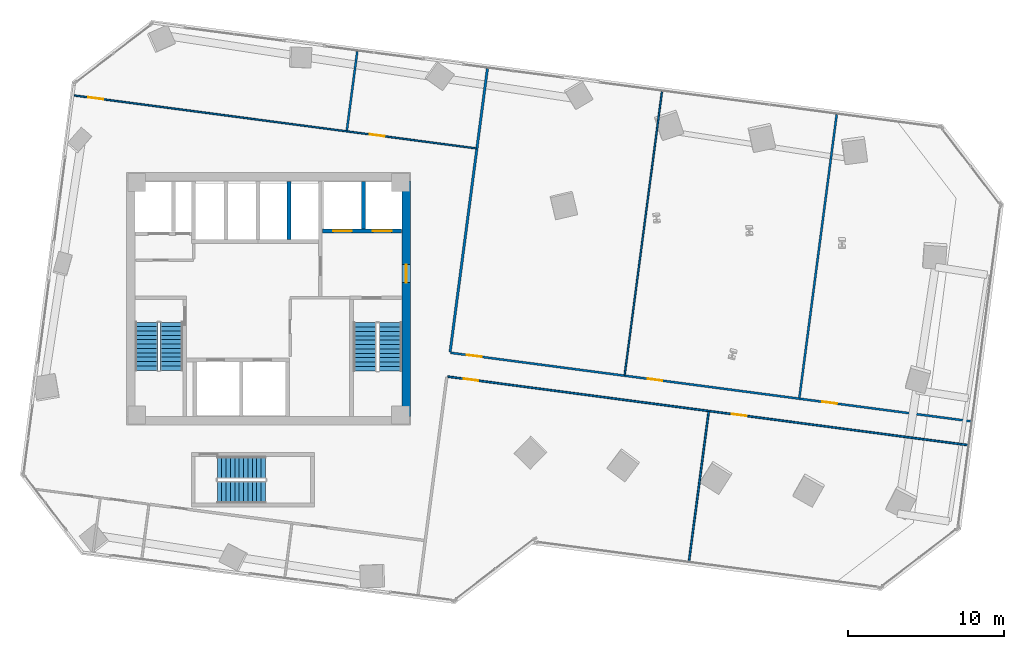
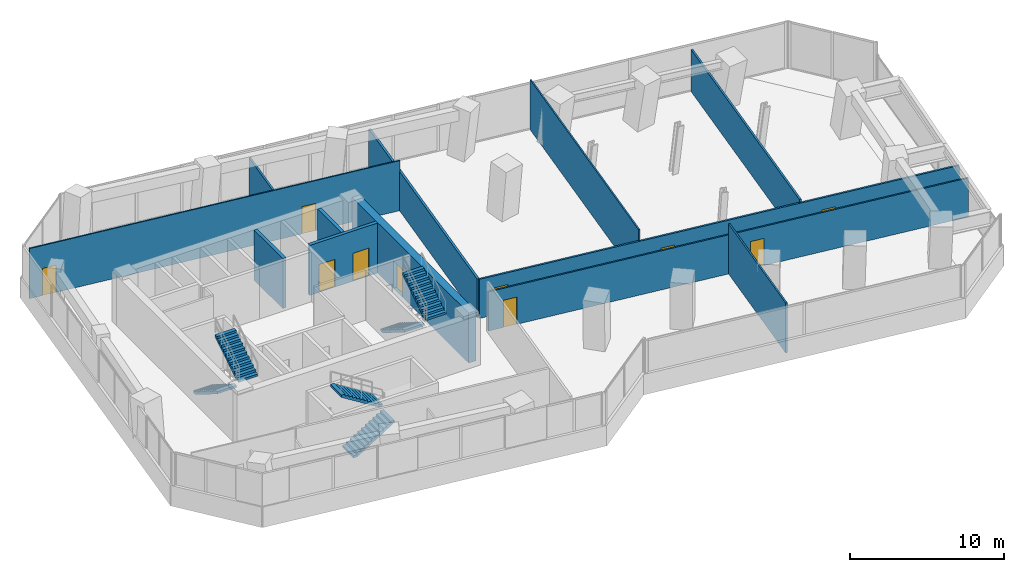
# One storey, part 20 of 24: 12 walls, 10 doors, 6 stair flights, 10 openings, 3 elements without a shape of their own.
"""IFC4 building model written with IfcOpenShell, lengths in metres."""

from ifc_helpers import new_model, si_unit, direction, frame, frame_2d, origin, place, context, subcontext, project, spatial, polyline, rectangle, outline, extrude, source, transform, mapped, material, layer, layer_set, type_object, element, fill, aggregate, save


model = new_model("IFC4")

# Units and contexts
model_context = context("Model", 3, precision=1e-05, world=origin(), true_north=direction((0.0, 1.0)))
body_context = subcontext(model_context, "Body", "Model", "MODEL_VIEW")
ifc_project = project(units=[si_unit("LENGTHUNIT", "METRE"), si_unit("AREAUNIT", "SQUARE_METRE"), si_unit("VOLUMEUNIT", "CUBIC_METRE"), si_unit("PLANEANGLEUNIT", "RADIAN"), si_unit("MASSUNIT", "GRAM", prefix="KILO")], contexts=[model_context])

# Site, building, storey
site_placement = place(None, origin())
site = spatial("IfcSite", under=ifc_project, at=site_placement, CompositionType="ELEMENT")
building_placement = place(site_placement, origin())
building = spatial("IfcBuilding", under=site, at=building_placement, Name="Torre Montelarca", CompositionType="ELEMENT")
storey_placement = place(building_placement, frame((0.0, 0.0, 66.39990234375)))
storey = spatial("IfcBuildingStorey", under=building, at=storey_placement, Name="L14", CompositionType="ELEMENT", Elevation=66.39990234375)

# Wall, openings, doors
ifc_material_1 = material(Name="Concrete C40/50", Category="concrete")
ifc_layer_1 = layer(ifc_material_1, 0.25, Name="Concrete C40/50", Category="concrete")
ifc_layer_set_1 = layer_set([ifc_layer_1], Name="Concrete C40/50")
wall_type_1 = type_object("IfcWallType", Name="CW-SHAFT-250", PredefinedType="SHEAR", material=ifc_layer_set_1)
wall_1_placement = place(storey_placement, frame((21.449951171875, 36.35009765625, 0.0), z_axis=(0.0, 0.0, 1.0), x_axis=(1.0, 0.0, 0.0)))
wall_1 = element("IfcWall", 1, at=wall_1_placement, inside=storey, type_object=wall_type_1, Name="L14 Core Shear Wall SH-FF-S", PredefinedType="SHEAR", context=body_context, shape_type="SweptSolid", body=[
    extrude(rectangle(XDim=5.090087890625, YDim=0.25, at=frame_2d((2.544921875, 0.0))), origin(), (0.0, 0.0, 1.0), 3.960205078125),
])
opening_1_placement = place(wall_1_placement, frame((0.699951171875, 0.0, 0.0)))
opening_1 = element("IfcOpeningElement", 2, at=opening_1_placement, cuts=wall_1, Name="Opening LD-120", PredefinedType="OPENING", context=body_context, shape_type="SweptSolid", body=[
    extrude(rectangle(XDim=1.199951171875, YDim=2.199951171875, at=frame_2d((0.60009765625, 1.10009765625))), frame((0.0, 0.135009765625, 0.0), z_axis=(0.0, -1.0, 0.0), x_axis=(1.0, 0.0, 0.0)), (0.0, 0.0, 1.0), 0.27001953125),
])
opening_2_placement = place(wall_1_placement, frame((3.25, 0.0, 0.0)))
opening_2 = element("IfcOpeningElement", 3, at=opening_2_placement, cuts=wall_1, Name="Opening LD-120", PredefinedType="OPENING", context=body_context, shape_type="SweptSolid", body=[
    extrude(rectangle(XDim=1.199951171875, YDim=2.199951171875, at=frame_2d((0.60009765625, 1.10009765625))), frame((0.0, 0.135009765625, 0.0), z_axis=(0.0, -1.0, 0.0), x_axis=(1.0, 0.0, 0.0)), (0.0, 0.0, 1.0), 0.27001953125),
])
ifc_material_2 = material(Name="Brushed stainless steel AISI 316", Category="steel")
door_type_1 = type_object("IfcDoorType", Name="DR-LIFT-120", OperationType="SLIDING_TO_RIGHT", PredefinedType="DOOR", material=ifc_material_2)
shared_shape_1 = source(origin(), body_context, "Body", "SweptSolid", [
    extrude(rectangle(XDim=1.199951171875, YDim=2.199951171875, at=frame_2d((0.60009765625, 1.10009765625))), frame((0.0, 0.02490234375, 0.0), z_axis=(0.0, -1.0, 0.0), x_axis=(1.0, 0.0, 0.0)), (0.0, 0.0, 1.0), 0.050048828125),
])
door_1_placement = place(opening_1_placement, origin())
door_1 = element("IfcDoor", 4, at=door_1_placement, inside=storey, type_object=door_type_1, Name="L14 Lift Landing Sliding Door FF-1", OperationType="SLIDING_TO_LEFT", OverallHeight=2.199951171875, OverallWidth=1.199951171875, PredefinedType="DOOR", context=body_context, shape_type="MappedRepresentation", body=[
    mapped(shared_shape_1, transform((0.0, 0.0, 0.0), scale=1.0)),
])
fill(opening_1, door_1)
door_2_placement = place(opening_2_placement, origin())
door_2 = element("IfcDoor", 5, at=door_2_placement, inside=storey, type_object=door_type_1, Name="L14 Lift Landing Sliding Door FF-2", OperationType="SLIDING_TO_RIGHT", OverallHeight=2.199951171875, OverallWidth=1.199951171875, PredefinedType="DOOR", context=body_context, shape_type="MappedRepresentation", body=[
    mapped(shared_shape_1, transform((0.0, 0.0, 0.0), scale=1.0)),
])
fill(opening_2, door_2)

# Walls
wall_2_placement = place(storey_placement, frame((24.080078125, 36.47998046875, 0.0), z_axis=(0.0, 0.0, 1.0), x_axis=(0.0, 1.0, 0.0)))
element("IfcWall", 6, at=wall_2_placement, inside=storey, type_object=wall_type_1, Name="L14 Core Shear Wall SH-FF-M", PredefinedType="SHEAR", context=body_context, shape_type="SweptSolid", body=[
    extrude(rectangle(XDim=3.06005859375, YDim=0.25, at=frame_2d((1.530029296875, 0.0))), origin(), (0.0, 0.0, 1.0), 3.960205078125),
])
wall_3_placement = place(storey_placement, frame((19.320068359375, 35.81005859375, 0.0), z_axis=(0.0, 0.0, 1.0), x_axis=(0.0, 1.0, 0.0)))
element("IfcWall", 7, at=wall_3_placement, inside=storey, type_object=wall_type_1, Name="L14 Core Shear Wall SH-PLH-M", PredefinedType="SHEAR", context=body_context, shape_type="SweptSolid", body=[
    extrude(rectangle(XDim=3.72998046875, YDim=0.25, at=frame_2d((1.864990234375, 0.0))), origin(), (0.0, 0.0, 1.0), 3.960205078125),
])

# Wall, opening, door
ifc_material_3 = material(Name="Concrete C70/85", Category="concrete")
ifc_layer_2 = layer(ifc_material_3, 0.550048828125, Name="Concrete C70/85", Category="concrete")
ifc_layer_set_2 = layer_set([ifc_layer_2], Name="Concrete C70/85")
wall_type_2 = type_object("IfcWallType", Name="CW-SHEAR-550", PredefinedType="SHEAR", material=ifc_layer_set_2)
wall_4_placement = place(storey_placement, frame((26.824951171875, 24.449951171875, 0.0), z_axis=(0.0, 0.0, 1.0), x_axis=(0.0, 1.0, 0.0)))
wall_4 = element("IfcWall", 8, at=wall_4_placement, inside=storey, type_object=wall_type_2, Name="L14 Core Shear Wall CW-E", PredefinedType="SHEAR", context=body_context, shape_type="SweptSolid", body=[
    extrude(rectangle(XDim=15.10009765625, YDim=0.550048828125, at=frame_2d((7.550048828125, 0.0))), origin(), (0.0, 0.0, 1.0), 3.960205078125),
])
opening_3_placement = place(wall_4_placement, frame((8.60009765625, 0.0, 0.0)))
opening_3 = element("IfcOpeningElement", 9, at=opening_3_placement, cuts=wall_4, Name="Opening FD-LB1", PredefinedType="OPENING", context=body_context, shape_type="SweptSolid", body=[
    extrude(rectangle(XDim=1.14990234375, YDim=2.199951171875, at=frame_2d((0.574951171875, 1.10009765625))), frame((0.0, 0.28515625, 0.0), z_axis=(0.0, -1.0, 0.0), x_axis=(1.0, 0.0, 0.0)), (0.0, 0.0, 1.0), 0.570068359375),
])
ifc_material_4 = material(Name="Acoustic timber-veneered fire door", Category="wood")
door_type_2 = type_object("IfcDoorType", Name="DR-LOBBY-115", OperationType="NOTDEFINED", PredefinedType="DOOR", material=ifc_material_4)
shared_shape_2 = source(origin(), body_context, "Body", "SweptSolid", [
    extrude(rectangle(XDim=1.14990234375, YDim=2.199951171875, at=frame_2d((0.574951171875, 1.10009765625))), frame((0.0, 0.02490234375, 0.0), z_axis=(0.0, -1.0, 0.0), x_axis=(1.0, 0.0, 0.0)), (0.0, 0.0, 1.0), 0.050048828125),
])
door_3_placement = place(opening_3_placement, origin())
door_3 = element("IfcDoor", 10, at=door_3_placement, inside=storey, type_object=door_type_2, Name="L14 Firefighting Lift Lobby Corridor Fire Door", OperationType="SINGLE_SWING_RIGHT", OverallHeight=2.199951171875, OverallWidth=1.14990234375, PredefinedType="DOOR", context=body_context, shape_type="MappedRepresentation", body=[
    mapped(shared_shape_2, transform((0.0, 0.0, 0.0), scale=1.0)),
])
fill(opening_3, door_3)

# Wall
ifc_material_5 = material(Name="Gypsum plasterboard on steel stud", Category="steel")
ifc_layer_3 = layer(ifc_material_5, 0.159912109375, Name="Gypsum plasterboard on steel stud", Category="steel")
ifc_layer_set_3 = layer_set([ifc_layer_3], Name="Gypsum plasterboard on steel stud")
wall_type_3 = type_object("IfcWallType", Name="PW-FIRE-160", PredefinedType="PARTITIONING", material=ifc_layer_set_3)
wall_5_placement = place(storey_placement, frame((29.644287109375, 28.587890625, 0.0), z_axis=(0.0, 0.0, 1.0), x_axis=(0.130525105318, 0.991445004467, 0.0)))
element("IfcWall", 11, at=wall_5_placement, inside=storey, type_object=wall_type_3, Name="L14 Interior Partition W-L14-ECN", PredefinedType="PARTITIONING", context=body_context, shape_type="SweptSolid", body=[
    extrude(rectangle(XDim=18.33984375, YDim=0.159912109375, at=frame_2d((9.169921875, 0.0))), origin(), (0.0, 0.0, 1.0), 3.09521484375),
])

# Wall, openings, doors
ifc_material_6 = material(Name="Acoustic laminated glass partition", Category="glass")
ifc_layer_4 = layer(ifc_material_6, 0.10009765625, Name="Acoustic laminated glass partition", Category="glass")
ifc_layer_set_4 = layer_set([ifc_layer_4], Name="Acoustic laminated glass partition")
wall_type_4 = type_object("IfcWallType", Name="PW-GLAZ-100", PredefinedType="PARTITIONING", material=ifc_layer_set_4)
wall_6_placement = place(storey_placement, frame((5.546142578125, 45.0439453125, 0.0), z_axis=(0.0, 0.0, 1.0), x_axis=(0.99144534416, -0.13052252504, 0.0)))
wall_6 = element("IfcWall", 12, at=wall_6_placement, inside=storey, type_object=wall_type_4, Name="L14 Interior Partition W-L14-NBOT", PredefinedType="PARTITIONING", context=body_context, shape_type="SweptSolid", body=[
    extrude(rectangle(XDim=25.999755859375, YDim=0.10009765625, at=frame_2d((13.0, 0.0))), origin(), (0.0, 0.0, 1.0), 3.960205078125),
])
opening_4_placement = place(wall_6_placement, frame((0.909912109375, 0.0, 0.0)))
opening_4 = element("IfcOpeningElement", 13, at=opening_4_placement, cuts=wall_6, Name="Opening ID-095", PredefinedType="OPENING", context=body_context, shape_type="SweptSolid", body=[
    extrude(rectangle(XDim=0.949951171875, YDim=2.14990234375, at=frame_2d((0.47509765625, 1.074951171875))), frame((0.0, 0.06005859375, 0.0), z_axis=(0.0, -1.0, 0.0), x_axis=(1.0, 0.0, 0.0)), (0.0, 0.0, 1.0), 0.1201171875),
])
opening_5_placement = place(wall_6_placement, frame((19.110107421875, 0.0, 0.0)))
opening_5 = element("IfcOpeningElement", 14, at=opening_5_placement, cuts=wall_6, Name="Opening ID-095", PredefinedType="OPENING", context=body_context, shape_type="SweptSolid", body=[
    extrude(rectangle(XDim=0.949951171875, YDim=2.14990234375, at=frame_2d((0.47509765625, 1.074951171875))), frame((0.0, 0.06005859375, 0.0), z_axis=(0.0, -1.0, 0.0), x_axis=(1.0, 0.0, 0.0)), (0.0, 0.0, 1.0), 0.1201171875),
])
ifc_material_7 = material(Name="Hardwood acoustic timber veneer", Category="wood")
door_type_3 = type_object("IfcDoorType", Name="DR-INT-095", OperationType="NOTDEFINED", PredefinedType="DOOR", material=ifc_material_7)
shared_shape_3 = source(origin(), body_context, "Body", "SweptSolid", [
    extrude(rectangle(XDim=0.949951171875, YDim=2.14990234375, at=frame_2d((0.47509765625, 1.074951171875))), frame((0.0, 0.02490234375, 0.0), z_axis=(0.0, -1.0, 0.0), x_axis=(1.0, 0.0, 0.0)), (0.0, 0.0, 1.0), 0.050048828125),
])
door_4_placement = place(opening_4_placement, origin())
door_4 = element("IfcDoor", 15, at=door_4_placement, inside=storey, type_object=door_type_3, Name="L14 Interior Door 07", OperationType="SINGLE_SWING_LEFT", OverallHeight=2.14990234375, OverallWidth=0.949951171875, PredefinedType="DOOR", context=body_context, shape_type="MappedRepresentation", body=[
    mapped(shared_shape_3, transform((0.0, 0.0, 0.0), scale=1.0)),
])
fill(opening_4, door_4)
door_5_placement = place(opening_5_placement, origin())
door_5 = element("IfcDoor", 16, at=door_5_placement, inside=storey, type_object=door_type_3, Name="L14 Interior Door 08", OperationType="SINGLE_SWING_RIGHT", OverallHeight=2.14990234375, OverallWidth=0.949951171875, PredefinedType="DOOR", context=body_context, shape_type="MappedRepresentation", body=[
    mapped(shared_shape_3, transform((0.0, 0.0, 0.0), scale=1.0)),
])
fill(opening_5, door_5)

# Wall
wall_7_placement = place(storey_placement, frame((40.837646484375, 27.1142578125, 0.0), z_axis=(0.0, 0.0, 1.0), x_axis=(0.130538190585, 0.991443281685, 0.0)))
element("IfcWall", 17, at=wall_7_placement, inside=storey, type_object=wall_type_4, Name="L14 Interior Partition W-L14-NEDIV-1", PredefinedType="PARTITIONING", context=body_context, shape_type="SweptSolid", body=[
    extrude(rectangle(XDim=18.33984375, YDim=0.10009765625, at=frame_2d((9.169921875, 0.0))), origin(), (0.0, 0.0, 1.0), 3.960205078125),
])

# Wall, openings, doors
ifc_layer_5 = layer(ifc_material_5, 0.114990234375, Name="Gypsum plasterboard on steel stud", Category="steel")
ifc_layer_set_5 = layer_set([ifc_layer_5], Name="Gypsum plasterboard on steel stud")
wall_type_5 = type_object("IfcWallType", Name="PW-PART-115", PredefinedType="PARTITIONING", material=ifc_layer_set_5)
wall_8_placement = place(storey_placement, frame((29.477783203125, 27.01611328125, 0.0), z_axis=(0.0, 0.0, 1.0), x_axis=(0.991444590622, -0.130528248771, 0.0)))
wall_8 = element("IfcWall", 18, at=wall_8_placement, inside=storey, type_object=wall_type_5, Name="L14 Interior Partition W-L14-SE-N", PredefinedType="PARTITIONING", context=body_context, shape_type="SweptSolid", body=[
    extrude(rectangle(XDim=33.659912109375, YDim=0.114990234375, at=frame_2d((16.830078125, 0.0))), origin(), (0.0, 0.0, 1.0), 3.09521484375),
])
opening_6_placement = place(wall_8_placement, frame((1.050048828125, 0.0, 0.0)))
opening_6 = element("IfcOpeningElement", 19, at=opening_6_placement, cuts=wall_8, Name="Opening ID-095", PredefinedType="OPENING", context=body_context, shape_type="SweptSolid", body=[
    extrude(rectangle(XDim=0.949951171875, YDim=2.14990234375, at=frame_2d((0.47509765625, 1.074951171875))), frame((0.0, 0.0673828125, 0.0), z_axis=(0.0, -1.0, 0.0), x_axis=(1.0, 0.0, 0.0)), (0.0, 0.0, 1.0), 0.135009765625),
])
opening_7_placement = place(wall_8_placement, frame((18.389892578125, 0.0, 0.0)))
opening_7 = element("IfcOpeningElement", 20, at=opening_7_placement, cuts=wall_8, Name="Opening ID-095", PredefinedType="OPENING", context=body_context, shape_type="SweptSolid", body=[
    extrude(rectangle(XDim=0.949951171875, YDim=2.14990234375, at=frame_2d((0.47509765625, 1.074951171875))), frame((0.0, 0.0673828125, 0.0), z_axis=(0.0, -1.0, 0.0), x_axis=(1.0, 0.0, 0.0)), (0.0, 0.0, 1.0), 0.135009765625),
])
door_6_placement = place(opening_6_placement, origin())
door_6 = element("IfcDoor", 21, at=door_6_placement, inside=storey, type_object=door_type_3, Name="L14 Interior Door 12", OperationType="SINGLE_SWING_LEFT", OverallHeight=2.14990234375, OverallWidth=0.949951171875, PredefinedType="DOOR", context=body_context, shape_type="MappedRepresentation", body=[
    mapped(shared_shape_3, transform((0.0, 0.0, 0.0), scale=1.0)),
])
fill(opening_6, door_6)
door_7_placement = place(opening_7_placement, origin())
door_7 = element("IfcDoor", 22, at=door_7_placement, inside=storey, type_object=door_type_3, Name="L14 Interior Door 13", OperationType="SINGLE_SWING_RIGHT", OverallHeight=2.14990234375, OverallWidth=0.949951171875, PredefinedType="DOOR", context=body_context, shape_type="MappedRepresentation", body=[
    mapped(shared_shape_3, transform((0.0, 0.0, 0.0), scale=1.0)),
])
fill(opening_7, door_7)

# Walls
wall_9_placement = place(storey_placement, frame((44.96435546875, 15.17333984375, 0.0), z_axis=(0.0, 0.0, 1.0), x_axis=(0.130519754353, 0.991445708914, 0.0)))
element("IfcWall", 23, at=wall_9_placement, inside=storey, type_object=wall_type_5, Name="L14 Interior Partition W-L14-SEDIV-1", PredefinedType="PARTITIONING", context=body_context, shape_type="SweptSolid", body=[
    extrude(rectangle(XDim=9.679931640625, YDim=0.114990234375, at=frame_2d((4.83984375, 0.0))), origin(), (0.0, 0.0, 1.0), 3.960205078125),
])
ifc_layer_6 = layer(ifc_material_5, 0.135009765625, Name="Gypsum plasterboard on steel stud", Category="steel")
ifc_layer_set_6 = layer_set([ifc_layer_6], Name="Gypsum plasterboard on steel stud")
wall_type_6 = type_object("IfcWallType", Name="PW-PART-135", PredefinedType="PARTITIONING", material=ifc_layer_set_6)
wall_10_placement = place(storey_placement, frame((23.0205078125, 42.78369140625, 0.0), z_axis=(0.0, 0.0, 1.0), x_axis=(0.130539454953, 0.991443115212, 0.0)))
element("IfcWall", 24, at=wall_10_placement, inside=storey, type_object=wall_type_6, Name="L14 Interior Partition W-L14-NDIV-1", PredefinedType="PARTITIONING", context=body_context, shape_type="SweptSolid", body=[
    extrude(rectangle(XDim=5.130126953125, YDim=0.135009765625, at=frame_2d((2.56494140625, 0.0))), origin(), (0.0, 0.0, 1.0), 3.09521484375),
])

# Wall, openings, doors
wall_11_placement = place(storey_placement, frame((29.6787109375, 28.54296875, 0.0), z_axis=(0.0, 0.0, 1.0), x_axis=(0.991444714197, -0.130527310133, 0.0)))
wall_11 = element("IfcWall", 25, at=wall_11_placement, inside=storey, type_object=wall_type_6, Name="L14 Interior Partition W-L14-NE-S", PredefinedType="PARTITIONING", context=body_context, shape_type="SweptSolid", body=[
    extrude(rectangle(XDim=33.66015625, YDim=0.135009765625, at=frame_2d((16.830078125, 0.0))), origin(), (0.0, 0.0, 1.0), 3.09521484375),
])
opening_8_placement = place(wall_11_placement, frame((1.050048828125, 0.0, 0.0)))
opening_8 = element("IfcOpeningElement", 26, at=opening_8_placement, cuts=wall_11, Name="Opening ID-095", PredefinedType="OPENING", context=body_context, shape_type="SweptSolid", body=[
    extrude(rectangle(XDim=0.949951171875, YDim=2.14990234375, at=frame_2d((0.47509765625, 1.074951171875))), frame((0.0, 0.07763671875, 0.0), z_axis=(0.0, -1.0, 0.0), x_axis=(1.0, 0.0, 0.0)), (0.0, 0.0, 1.0), 0.155029296875),
])
opening_9_placement = place(wall_11_placement, frame((12.739990234375, 0.0, 0.0)))
opening_9 = element("IfcOpeningElement", 27, at=opening_9_placement, cuts=wall_11, Name="Opening ID-095", PredefinedType="OPENING", context=body_context, shape_type="SweptSolid", body=[
    extrude(rectangle(XDim=0.949951171875, YDim=2.14990234375, at=frame_2d((0.47509765625, 1.074951171875))), frame((0.0, 0.07763671875, 0.0), z_axis=(0.0, -1.0, 0.0), x_axis=(1.0, 0.0, 0.0)), (0.0, 0.0, 1.0), 0.155029296875),
])
opening_10_placement = place(wall_11_placement, frame((24.0400390625, 0.0, 0.0)))
opening_10 = element("IfcOpeningElement", 28, at=opening_10_placement, cuts=wall_11, Name="Opening ID-095", PredefinedType="OPENING", context=body_context, shape_type="SweptSolid", body=[
    extrude(rectangle(XDim=0.949951171875, YDim=2.14990234375, at=frame_2d((0.47509765625, 1.074951171875))), frame((0.0, 0.07763671875, 0.0), z_axis=(0.0, -1.0, 0.0), x_axis=(1.0, 0.0, 0.0)), (0.0, 0.0, 1.0), 0.155029296875),
])
door_8_placement = place(opening_8_placement, origin())
door_8 = element("IfcDoor", 29, at=door_8_placement, inside=storey, type_object=door_type_3, Name="L14 Interior Door 09", OperationType="SINGLE_SWING_LEFT", OverallHeight=2.14990234375, OverallWidth=0.949951171875, PredefinedType="DOOR", context=body_context, shape_type="MappedRepresentation", body=[
    mapped(shared_shape_3, transform((0.0, 0.0, 0.0), scale=1.0)),
])
fill(opening_8, door_8)
door_9_placement = place(opening_9_placement, origin())
door_9 = element("IfcDoor", 30, at=door_9_placement, inside=storey, type_object=door_type_3, Name="L14 Interior Door 10", OperationType="SINGLE_SWING_RIGHT", OverallHeight=2.14990234375, OverallWidth=0.949951171875, PredefinedType="DOOR", context=body_context, shape_type="MappedRepresentation", body=[
    mapped(shared_shape_3, transform((0.0, 0.0, 0.0), scale=1.0)),
])
fill(opening_9, door_9)
door_10_placement = place(opening_10_placement, origin())
door_10 = element("IfcDoor", 31, at=door_10_placement, inside=storey, type_object=door_type_3, Name="L14 Interior Door 11", OperationType="SINGLE_SWING_RIGHT", OverallHeight=2.14990234375, OverallWidth=0.949951171875, PredefinedType="DOOR", context=body_context, shape_type="MappedRepresentation", body=[
    mapped(shared_shape_3, transform((0.0, 0.0, 0.0), scale=1.0)),
])
fill(opening_10, door_10)

# Wall
wall_12_placement = place(storey_placement, frame((52.041015625, 25.63916015625, 0.0), z_axis=(0.0, 0.0, 1.0), x_axis=(0.130523382643, 0.991445231258, 0.0)))
element("IfcWall", 32, at=wall_12_placement, inside=storey, type_object=wall_type_6, Name="L14 Interior Partition W-L14-NEDIV-2", PredefinedType="PARTITIONING", context=body_context, shape_type="SweptSolid", body=[
    extrude(rectangle(XDim=18.340087890625, YDim=0.135009765625, at=frame_2d((9.169921875, 0.0))), origin(), (0.0, 0.0, 1.0), 3.322998046875),
])

# Stair, stair flights
stair_type_1 = type_object("IfcStairType", Name="ST-CORE-ST1", PredefinedType="HALF_TURN_STAIR", material=ifc_material_1)
stair_1_placement = place(storey_placement, origin())
stair_1 = element("IfcStair", 33, at=stair_1_placement, inside=storey, type_object=stair_type_1, Name="L14 Protected Exit Stair ST1", PredefinedType="HALF_TURN_STAIR")
stair_flight_type_1 = type_object("IfcStairFlightType", Name="SFL-CORE-ST1", PredefinedType="STRAIGHT", material=ifc_material_1)
stair_flight_1_placement = place(storey_placement, frame((10.175048828125, 30.5, 0.0), z_axis=(0.0, 0.0, 1.0), x_axis=(0.0, -1.0, 0.0)))
stair_flight_1 = element("IfcStairFlight", 34, at=stair_flight_1_placement, type_object=stair_flight_type_1, Name="ST1 flight 1", NumberOfRisers=12, NumberOfTreads=11, PredefinedType="STRAIGHT", RiserHeight=0.175, TreadLength=0.28, context=body_context, shape_type="SweptSolid", body=[
    extrude(outline(polyline([(0.0, 0.0), (0.0, 0.175048828125), (0.280029296875, 0.175048828125), (0.280029296875, 0.35009765625), (0.56005859375, 0.35009765625), (0.56005859375, 0.52490234375), (0.840087890625, 0.52490234375), (0.840087890625, 0.699951171875), (1.1201171875, 0.699951171875), (1.1201171875, 0.875), (1.39990234375, 0.875), (1.39990234375, 1.050048828125), (1.679931640625, 1.050048828125), (1.679931640625, 1.22509765625), (1.9599609375, 1.22509765625), (1.9599609375, 1.39990234375), (2.239990234375, 1.39990234375), (2.239990234375, 1.574951171875), (2.52001953125, 1.574951171875), (2.52001953125, 1.75), (2.800048828125, 1.75), (2.800048828125, 1.925048828125), (3.080078125, 1.925048828125), (3.080078125, 2.10009765625), (3.080078125, 1.748291015625), (0.28271484375, 0.0), (0.0, 0.0)])), frame((0.0, 0.72509765625, 0.0), z_axis=(0.0, -1.0, 0.0), x_axis=(1.0, 0.0, 0.0)), (0.0, 0.0, 1.0), 1.449951171875),
])
stair_flight_2_placement = place(storey_placement, frame((11.77490234375, 27.419921875, 2.10009765625), z_axis=(0.0, 0.0, 1.0), x_axis=(0.0, 1.0, 0.0)))
stair_flight_2 = element("IfcStairFlight", 35, at=stair_flight_2_placement, type_object=stair_flight_type_1, Name="ST1 flight 2", NumberOfRisers=12, NumberOfTreads=11, PredefinedType="STRAIGHT", RiserHeight=0.175, TreadLength=0.28, context=body_context, shape_type="SweptSolid", body=[
    extrude(outline(polyline([(0.0, 0.0), (0.0, 0.175048828125), (0.280029296875, 0.175048828125), (0.280029296875, 0.35009765625), (0.56005859375, 0.35009765625), (0.56005859375, 0.52490234375), (0.840087890625, 0.52490234375), (0.840087890625, 0.699951171875), (1.1201171875, 0.699951171875), (1.1201171875, 0.875), (1.39990234375, 0.875), (1.39990234375, 1.050048828125), (1.679931640625, 1.050048828125), (1.679931640625, 1.22509765625), (1.9599609375, 1.22509765625), (1.9599609375, 1.39990234375), (2.239990234375, 1.39990234375), (2.239990234375, 1.574951171875), (2.52001953125, 1.574951171875), (2.52001953125, 1.75), (2.800048828125, 1.75), (2.800048828125, 1.925048828125), (3.080078125, 1.925048828125), (3.080078125, 2.10009765625), (3.080078125, 1.748291015625), (0.28271484375, 0.0), (0.0, 0.0)])), frame((0.0, 0.72509765625, 0.0), z_axis=(0.0, -1.0, 0.0), x_axis=(1.0, 0.0, 0.0)), (0.0, 0.0, 1.0), 1.449951171875),
])
aggregate(stair_1, [stair_flight_1, stair_flight_2])

stair_type_2 = type_object("IfcStairType", Name="ST-CORE-ST2", PredefinedType="HALF_TURN_STAIR", material=ifc_material_1)
stair_2_placement = place(storey_placement, origin())
stair_2 = element("IfcStair", 36, at=stair_2_placement, inside=storey, type_object=stair_type_2, Name="L14 Protected Exit Stair ST2", PredefinedType="HALF_TURN_STAIR")
stair_flight_type_2 = type_object("IfcStairFlightType", Name="SFL-CORE-ST2", PredefinedType="STRAIGHT", material=ifc_material_1)
stair_flight_3_placement = place(storey_placement, frame((24.179931640625, 30.469970703125, 0.0), z_axis=(0.0, 0.0, 1.0), x_axis=(0.0, -1.0, 0.0)))
stair_flight_3 = element("IfcStairFlight", 37, at=stair_flight_3_placement, type_object=stair_flight_type_2, Name="ST2 flight 1", NumberOfRisers=12, NumberOfTreads=11, PredefinedType="STRAIGHT", RiserHeight=0.175, TreadLength=0.28, context=body_context, shape_type="SweptSolid", body=[
    extrude(outline(polyline([(0.0, 0.0), (0.0, 0.175048828125), (0.280029296875, 0.175048828125), (0.280029296875, 0.35009765625), (0.56005859375, 0.35009765625), (0.56005859375, 0.52490234375), (0.840087890625, 0.52490234375), (0.840087890625, 0.699951171875), (1.1201171875, 0.699951171875), (1.1201171875, 0.875), (1.39990234375, 0.875), (1.39990234375, 1.050048828125), (1.679931640625, 1.050048828125), (1.679931640625, 1.22509765625), (1.9599609375, 1.22509765625), (1.9599609375, 1.39990234375), (2.239990234375, 1.39990234375), (2.239990234375, 1.574951171875), (2.52001953125, 1.574951171875), (2.52001953125, 1.75), (2.800048828125, 1.75), (2.800048828125, 1.925048828125), (3.080078125, 1.925048828125), (3.080078125, 2.10009765625), (3.080078125, 1.748291015625), (0.28271484375, 0.0), (0.0, 0.0)])), frame((0.0, 0.739990234375, 0.0), z_axis=(0.0, -1.0, 0.0), x_axis=(1.0, 0.0, 0.0)), (0.0, 0.0, 1.0), 1.47998046875),
])
stair_flight_4_placement = place(storey_placement, frame((25.81005859375, 27.389892578125, 2.10009765625), z_axis=(0.0, 0.0, 1.0), x_axis=(0.0, 1.0, 0.0)))
stair_flight_4 = element("IfcStairFlight", 38, at=stair_flight_4_placement, type_object=stair_flight_type_2, Name="ST2 flight 2", NumberOfRisers=12, NumberOfTreads=11, PredefinedType="STRAIGHT", RiserHeight=0.175, TreadLength=0.28, context=body_context, shape_type="SweptSolid", body=[
    extrude(outline(polyline([(0.0, 0.0), (0.0, 0.175048828125), (0.280029296875, 0.175048828125), (0.280029296875, 0.35009765625), (0.56005859375, 0.35009765625), (0.56005859375, 0.52490234375), (0.840087890625, 0.52490234375), (0.840087890625, 0.699951171875), (1.1201171875, 0.699951171875), (1.1201171875, 0.875), (1.39990234375, 0.875), (1.39990234375, 1.050048828125), (1.679931640625, 1.050048828125), (1.679931640625, 1.22509765625), (1.9599609375, 1.22509765625), (1.9599609375, 1.39990234375), (2.239990234375, 1.39990234375), (2.239990234375, 1.574951171875), (2.52001953125, 1.574951171875), (2.52001953125, 1.75), (2.800048828125, 1.75), (2.800048828125, 1.925048828125), (3.080078125, 1.925048828125), (3.080078125, 2.10009765625), (3.080078125, 1.748291015625), (0.28271484375, 0.0), (0.0, 0.0)])), frame((0.0, 0.739990234375, 0.0), z_axis=(0.0, -1.0, 0.0), x_axis=(1.0, 0.0, 0.0)), (0.0, 0.0, 1.0), 1.47998046875),
])
aggregate(stair_2, [stair_flight_3, stair_flight_4])

stair_type_3 = type_object("IfcStairType", Name="ST-CORE-ST3", PredefinedType="HALF_TURN_STAIR", material=ifc_material_1)
stair_3_placement = place(storey_placement, origin())
stair_3 = element("IfcStair", 39, at=stair_3_placement, inside=storey, type_object=stair_type_3, Name="L14 Low-Rise Exit Stair ST3", PredefinedType="HALF_TURN_STAIR")
stair_flight_type_3 = type_object("IfcStairFlightType", Name="SFL-CORE-ST3", PredefinedType="STRAIGHT", material=ifc_material_1)
stair_flight_5_placement = place(storey_placement, frame((14.719970703125, 19.610107421875, 0.0), z_axis=(0.0, 0.0, 1.0), x_axis=(1.0, 0.0, 0.0)))
stair_flight_5 = element("IfcStairFlight", 40, at=stair_flight_5_placement, type_object=stair_flight_type_3, Name="ST3 flight 1", NumberOfRisers=12, NumberOfTreads=11, PredefinedType="STRAIGHT", RiserHeight=0.175, TreadLength=0.28, context=body_context, shape_type="SweptSolid", body=[
    extrude(outline(polyline([(0.0, 0.0), (0.0, 0.175048828125), (0.280029296875, 0.175048828125), (0.280029296875, 0.35009765625), (0.56005859375, 0.35009765625), (0.56005859375, 0.52490234375), (0.840087890625, 0.52490234375), (0.840087890625, 0.699951171875), (1.1201171875, 0.699951171875), (1.1201171875, 0.875), (1.39990234375, 0.875), (1.39990234375, 1.050048828125), (1.679931640625, 1.050048828125), (1.679931640625, 1.22509765625), (1.9599609375, 1.22509765625), (1.9599609375, 1.39990234375), (2.239990234375, 1.39990234375), (2.239990234375, 1.574951171875), (2.52001953125, 1.574951171875), (2.52001953125, 1.75), (2.800048828125, 1.75), (2.800048828125, 1.925048828125), (3.080078125, 1.925048828125), (3.080078125, 2.10009765625), (3.080078125, 1.748291015625), (0.28271484375, 0.0), (0.0, 0.0)])), frame((0.0, 0.7099609375, 0.0), z_axis=(0.0, -1.0, 0.0), x_axis=(1.0, 0.0, 0.0)), (0.0, 0.0, 1.0), 1.419921875),
])
stair_flight_6_placement = place(storey_placement, frame((17.800048828125, 21.179931640625, 2.10009765625), z_axis=(0.0, 0.0, 1.0), x_axis=(-1.0, 0.0, 0.0)))
stair_flight_6 = element("IfcStairFlight", 41, at=stair_flight_6_placement, type_object=stair_flight_type_3, Name="ST3 flight 2", NumberOfRisers=12, NumberOfTreads=11, PredefinedType="STRAIGHT", RiserHeight=0.175, TreadLength=0.28, context=body_context, shape_type="SweptSolid", body=[
    extrude(outline(polyline([(0.0, 0.0), (0.0, 0.175048828125), (0.280029296875, 0.175048828125), (0.280029296875, 0.35009765625), (0.56005859375, 0.35009765625), (0.56005859375, 0.52490234375), (0.840087890625, 0.52490234375), (0.840087890625, 0.699951171875), (1.1201171875, 0.699951171875), (1.1201171875, 0.875), (1.39990234375, 0.875), (1.39990234375, 1.050048828125), (1.679931640625, 1.050048828125), (1.679931640625, 1.22509765625), (1.9599609375, 1.22509765625), (1.9599609375, 1.39990234375), (2.239990234375, 1.39990234375), (2.239990234375, 1.574951171875), (2.52001953125, 1.574951171875), (2.52001953125, 1.75), (2.800048828125, 1.75), (2.800048828125, 1.925048828125), (3.080078125, 1.925048828125), (3.080078125, 2.10009765625), (3.080078125, 1.748291015625), (0.28271484375, 0.0), (0.0, 0.0)])), frame((0.0, 0.7099609375, 0.0), z_axis=(0.0, -1.0, 0.0), x_axis=(1.0, 0.0, 0.0)), (0.0, 0.0, 1.0), 1.419921875),
])
aggregate(stair_3, [stair_flight_5, stair_flight_6])

save(model, "model.ifc")
